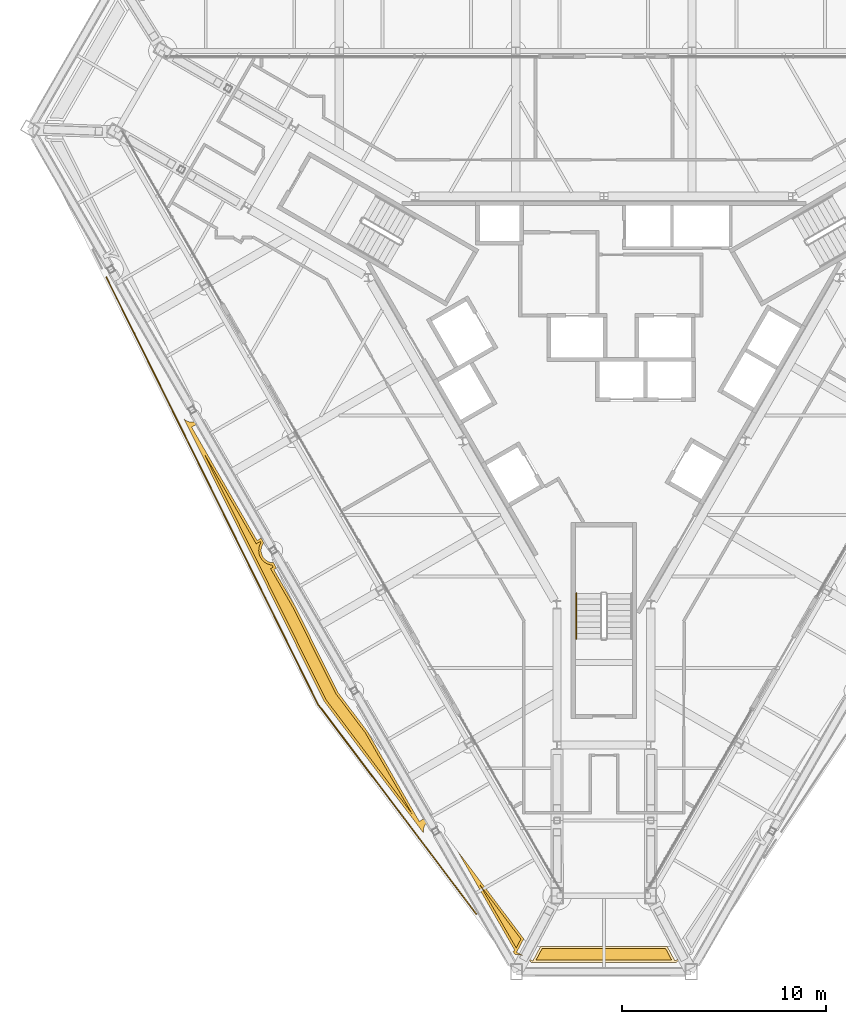
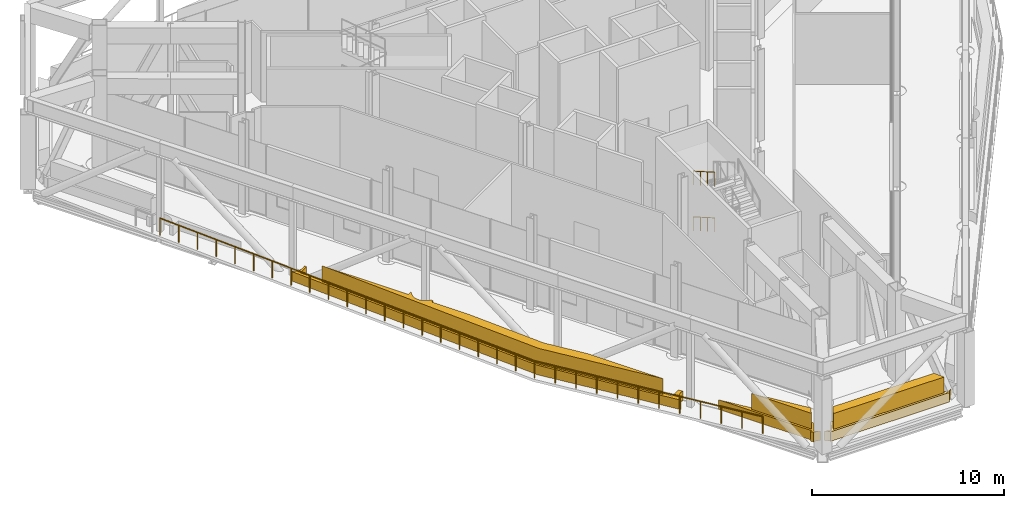
# One storey, part 19 of 24: 6 coverings, 3 railings.
"""IFC4 building model written with IfcOpenShell, lengths in metres."""

from ifc_helpers import new_model, si_unit, direction, frame, origin, origin_2d, place, context, subcontext, project, spatial, polyline, circle, outline, extrude, material, type_object, element, save


model = new_model("IFC4")

# Units and contexts
model_context = context("Model", 3, precision=1e-05, world=origin(), true_north=direction((0.0, 1.0)))
body_context = subcontext(model_context, "Body", "Model", "MODEL_VIEW")
ifc_project = project(units=[si_unit("LENGTHUNIT", "METRE"), si_unit("AREAUNIT", "SQUARE_METRE"), si_unit("VOLUMEUNIT", "CUBIC_METRE"), si_unit("PLANEANGLEUNIT", "RADIAN"), si_unit("MASSUNIT", "GRAM", prefix="KILO")], contexts=[model_context])

# Site, building, storey
site_placement = place(None, origin())
site = spatial("IfcSite", under=ifc_project, at=site_placement, CompositionType="ELEMENT")
building_placement = place(site_placement, origin())
building = spatial("IfcBuilding", under=site, at=building_placement, Name="Verrane Prism Tower", CompositionType="ELEMENT")
storey_placement = place(building_placement, frame((0.0, 0.0, 200.60009765625)))
storey = spatial("IfcBuildingStorey", under=building, at=storey_placement, Name="L50", CompositionType="ELEMENT", Elevation=200.60009765625)

# Coverings
ifc_material_1 = material(Name="Planting medium in stone kerb", Category="masonry")
covering_type_1 = type_object("IfcCoveringType", Name="Planter bed 600", PredefinedType="USERDEFINED", material=ifc_material_1)
covering_1_placement = place(storey_placement, origin())
element("IfcCovering", 1, at=covering_1_placement, inside=storey, type_object=covering_type_1, Name="Planter bed L50 7", ObjectType="PLANTER", PredefinedType="USERDEFINED", context=body_context, shape_type="SweptSolid", body=[
    extrude(outline(polyline([(-3.74072265625, -29.36279296875), (-3.678955078125, -29.4189453125), (-3.622802734375, -29.480712890625), (-3.5732421875, -29.5478515625), (-3.5625, -29.5654296875), (3.5625, -29.5654296875), (3.5732421875, -29.5478515625), (3.622802734375, -29.480712890625), (3.678955078125, -29.4189453125), (3.74072265625, -29.36279296875), (3.792724609375, -29.324462890625), (3.789306640625, -29.319091796875), (3.483154296875, -29.482421875), (3.1005859375, -28.765380859375), (-3.1005859375, -28.765380859375), (-3.483154296875, -29.482421875), (-3.789306640625, -29.319091796875), (-3.792724609375, -29.324462890625), (-3.74072265625, -29.36279296875)])), origin(), (0.0, 0.0, 1.0), 0.599853515625),
])
covering_2_placement = place(storey_placement, origin())
element("IfcCovering", 2, at=covering_2_placement, inside=storey, type_object=covering_type_1, Name="Planter bed L50 8", ObjectType="PLANTER", PredefinedType="USERDEFINED", context=body_context, shape_type="SweptSolid", body=[
    extrude(outline(polyline([(-4.3466796875, -29.17333984375), (-4.280029296875, -29.169921875), (-4.19677734375, -29.174072265625), (-4.1142578125, -29.186279296875), (-4.033203125, -29.20654296875), (-3.9736328125, -29.227783203125), (-3.97119140625, -29.22216796875), (-4.277099609375, -29.058837890625), (-3.926513671875, -28.401611328125), (-7.138671875, -24.1435546875), (-7.144287109375, -24.1474609375), (-4.36572265625, -28.9697265625), (-4.45947265625, -29.023681640625), (-4.3466796875, -29.17333984375)])), origin(), (0.0, 0.0, 1.0), 0.599853515625),
])
covering_3_placement = place(storey_placement, origin())
element("IfcCovering", 3, at=covering_3_placement, inside=storey, type_object=covering_type_1, Name="Planter bed L50 9", ObjectType="PLANTER", PredefinedType="USERDEFINED", context=body_context, shape_type="SweptSolid", body=[
    extrude(outline(polyline([(-13.73388671875, -16.72900390625), (-8.8486328125, -23.204833984375), (-8.852294921875, -23.1298828125), (-8.849609375, -23.071044921875), (-8.8408203125, -23.012451171875), (-8.826416015625, -22.955078125), (-8.806396484375, -22.8994140625), (-8.78125, -22.845947265625), (-8.7509765625, -22.79541015625), (-8.7158203125, -22.747802734375), (-8.676025390625, -22.7041015625), (-8.632080078125, -22.664306640625), (-8.584716796875, -22.629150390625), (-8.533935546875, -22.5986328125), (-8.48046875, -22.573486328125), (-8.4248046875, -22.553466796875), (-8.367431640625, -22.539306640625), (-8.3505859375, -22.53662109375), (-8.508544921875, -22.32763671875), (-9.052001953125, -22.6416015625), (-11.6025390625, -18.225830078125), (-13.050048828125, -16.306884765625), (-15.115478515625, -12.1396484375), (-16.178466796875, -10.2978515625), (-16.061767578125, -10.230712890625), (-16.19482421875, -9.962158203125), (-16.259033203125, -9.95947265625), (-16.3173828125, -9.95068359375), (-16.375, -9.9365234375), (-16.430419921875, -9.91650390625), (-16.48388671875, -9.891357421875), (-16.53466796875, -9.86083984375), (-16.582275390625, -9.82568359375), (-16.6259765625, -9.785888671875), (-16.665771484375, -9.7421875), (-16.700927734375, -9.694580078125), (-16.731201171875, -9.64404296875), (-16.756591796875, -9.590576171875), (-16.776611328125, -9.534912109375), (-16.790771484375, -9.4775390625), (-16.799560546875, -9.4189453125), (-16.802490234375, -9.360107421875), (-16.799560546875, -9.301025390625), (-16.790771484375, -9.242431640625), (-16.776611328125, -9.18505859375), (-16.756591796875, -9.12939453125), (-16.731201171875, -9.075927734375), (-16.700927734375, -9.025390625), (-16.67578125, -8.99169921875), (-16.794921875, -8.751953125), (-17.001953125, -8.87158203125), (-20.2109375, -3.31591796875), (-19.64990234375, -2.991943359375), (-19.71728515625, -2.855712890625), (-19.75390625, -2.89599609375), (-19.7978515625, -2.935791015625), (-19.84521484375, -2.970947265625), (-19.89599609375, -3.001220703125), (-19.949462890625, -3.026611328125), (-20.005126953125, -3.04638671875), (-20.0625, -3.060791015625), (-20.12109375, -3.069580078125), (-20.179931640625, -3.072509765625), (-20.239013671875, -3.069580078125), (-20.297607421875, -3.060791015625), (-20.35498046875, -3.04638671875), (-20.410400390625, -3.026611328125), (-20.464111328125, -3.001220703125), (-20.5146484375, -2.970947265625), (-20.575439453125, -2.92578125), (-13.73388671875, -16.72900390625)])), origin(), (0.0, 0.0, 1.0), 0.599853515625),
])
ifc_material_2 = material(Name="Planted shrubs and grasses", Category="other")
covering_type_2 = type_object("IfcCoveringType", Name="Planting mass 1000", PredefinedType="USERDEFINED", material=ifc_material_2)
covering_4_placement = place(storey_placement, frame((0.0, 0.0, 0.599853515625)))
element("IfcCovering", 4, at=covering_4_placement, inside=storey, type_object=covering_type_2, Name="Planting L50 7", ObjectType="PLANTING", PredefinedType="USERDEFINED", context=body_context, shape_type="SweptSolid", body=[
    extrude(outline(polyline([(3.327392578125, -29.445556640625), (3.02880859375, -28.885498046875), (-3.02880859375, -28.885498046875), (-3.327392578125, -29.445556640625), (3.327392578125, -29.445556640625)])), origin(), (0.0, 0.0, 1.0), 1.0),
])
covering_5_placement = place(storey_placement, frame((0.0, 0.0, 0.599853515625)))
element("IfcCovering", 5, at=covering_5_placement, inside=storey, type_object=covering_type_2, Name="Planting L50 8", ObjectType="PLANTING", PredefinedType="USERDEFINED", context=body_context, shape_type="SweptSolid", body=[
    extrude(outline(polyline([(-4.29931640625, -28.844970703125), (-4.068603515625, -28.41259765625), (-6.099609375, -25.72021484375), (-4.29931640625, -28.844970703125)])), origin(), (0.0, 0.0, 1.0), 1.0),
])
covering_6_placement = place(storey_placement, frame((0.0, 0.0, 0.599853515625)))
element("IfcCovering", 6, at=covering_6_placement, inside=storey, type_object=covering_type_2, Name="Planting L50 9", ObjectType="PLANTING", PredefinedType="USERDEFINED", context=body_context, shape_type="SweptSolid", body=[
    extrude(outline(polyline([(-13.631103515625, -16.66552734375), (-9.409423828125, -22.26220703125), (-11.702880859375, -18.2919921875), (-13.152587890625, -16.3701171875), (-15.221435546875, -12.1962890625), (-16.34228515625, -10.25390625), (-16.219482421875, -10.18310546875), (-16.27099609375, -10.0791015625), (-16.341064453125, -10.068603515625), (-16.40966796875, -10.051513671875), (-16.4765625, -10.027587890625), (-16.54052734375, -9.997314453125), (-16.601318359375, -9.960693359375), (-16.658447265625, -9.91845703125), (-16.7109375, -9.870849609375), (-16.758544921875, -9.818359375), (-16.80078125, -9.761474609375), (-16.837158203125, -9.70068359375), (-16.867431640625, -9.636474609375), (-16.891357421875, -9.569580078125), (-16.90869140625, -9.5009765625), (-16.919189453125, -9.430908203125), (-16.922607421875, -9.360107421875), (-16.919189453125, -9.289306640625), (-16.90869140625, -9.218994140625), (-16.891357421875, -9.150390625), (-16.867431640625, -9.08349609375), (-16.837158203125, -9.019287109375), (-16.814697265625, -8.98193359375), (-16.845458984375, -8.919921875), (-17.045654296875, -9.035400390625), (-19.63525390625, -4.552734375), (-13.631103515625, -16.66552734375)])), origin(), (0.0, 0.0, 1.0), 1.0),
])

# Railings
ifc_material_3 = material(Name="Steel A36 tube", Category="steel")
railing_type_1 = type_object("IfcRailingType", Name="Stair handrail 900 steel tube", PredefinedType="HANDRAIL", material=ifc_material_3)
for number, where, name in (
    (7, (-1.35009765625, -11.4599609375, 1.611083984375), "Stair 3 handrail"),
    (8, (-1.35009765625, -11.4599609375, 4.510986328125), "Stair 3 handrail"),
):
    element("IfcRailing", number, at=place(storey_placement, frame(where)), inside=storey, type_object=railing_type_1, Name=name, PredefinedType="HANDRAIL", context=body_context, shape_type="SweptSolid", body=[
        extrude(circle(Radius=0.02392578125, at=origin_2d()), frame((0.0, 0.0, 0.8759765625), z_axis=(0.0, -0.866768490956, 0.498710720845), x_axis=(1.0, 0.0, 0.0)), (0.0, 0.0, 1.0), 2.584228515625),
        extrude(circle(Radius=0.02099609375, at=origin_2d()), origin(), (0.0, 0.0, 1.0), 0.851806640625),
        extrude(circle(Radius=0.02099609375, at=origin_2d()), frame((0.0, -0.74658203125, 0.4296875)), (0.0, 0.0, 1.0), 0.851806640625),
        extrude(circle(Radius=0.02099609375, at=origin_2d()), frame((0.0, -1.493408203125, 0.859130859375)), (0.0, 0.0, 1.0), 0.851806640625),
        extrude(circle(Radius=0.02099609375, at=origin_2d()), frame((0.0, -2.239990234375, 1.288818359375)), (0.0, 0.0, 1.0), 0.851806640625),
    ])
ifc_material_4 = material(Name="Stainless steel and laminated glass", Category="steel")
railing_type_2 = type_object("IfcRailingType", Name="Terrace guard 1100", PredefinedType="GUARDRAIL", material=ifc_material_4)
railing_placement = place(storey_placement, frame((-24.39306640625, 4.03271484375, 0.0)))
element("IfcRailing", 9, at=railing_placement, inside=storey, type_object=railing_type_2, Name="Terrace guard L50 4", PredefinedType="GUARDRAIL", context=body_context, shape_type="SweptSolid", body=[
    extrude(circle(Radius=0.02392578125, at=origin_2d()), frame((0.0, 0.0, 1.076171875), z_axis=(0.444105660887, -0.895974420376, 0.0), x_axis=(0.895974420376, 0.444105660887, 0.0)), (0.0, 0.0, 1.0), 23.366455078125),
    extrude(circle(Radius=0.02392578125, at=origin_2d()), frame((10.377197265625, -20.935791015625, 1.076171875), z_axis=(0.602208650296, -0.798338738575, 0.0), x_axis=(0.798338738575, 0.602208650296, 0.0)), (0.0, 0.0, 1.0), 12.8798828125),
    extrude(circle(Radius=0.02099609375, at=origin_2d()), origin(), (0.0, 0.0, 1.0), 1.052001953125),
    extrude(circle(Radius=0.02099609375, at=origin_2d()), frame((0.518798828125, -1.046875, 0.0)), (0.0, 0.0, 1.0), 1.052001953125),
    extrude(circle(Radius=0.02099609375, at=origin_2d()), frame((1.03759765625, -2.093505859375, 0.0)), (0.0, 0.0, 1.0), 1.052001953125),
    extrude(circle(Radius=0.02099609375, at=origin_2d()), frame((1.556640625, -3.140380859375, 0.0)), (0.0, 0.0, 1.0), 1.052001953125),
    extrude(circle(Radius=0.02099609375, at=origin_2d()), frame((2.075439453125, -4.187255859375, 0.0)), (0.0, 0.0, 1.0), 1.052001953125),
    extrude(circle(Radius=0.02099609375, at=origin_2d()), frame((2.59423828125, -5.23388671875, 0.0)), (0.0, 0.0, 1.0), 1.052001953125),
    extrude(circle(Radius=0.02099609375, at=origin_2d()), frame((3.11328125, -6.28076171875, 0.0)), (0.0, 0.0, 1.0), 1.052001953125),
    extrude(circle(Radius=0.02099609375, at=origin_2d()), frame((3.632080078125, -7.32763671875, 0.0)), (0.0, 0.0, 1.0), 1.052001953125),
    extrude(circle(Radius=0.02099609375, at=origin_2d()), frame((4.15087890625, -8.374267578125, 0.0)), (0.0, 0.0, 1.0), 1.052001953125),
    extrude(circle(Radius=0.02099609375, at=origin_2d()), frame((4.669677734375, -9.421142578125, 0.0)), (0.0, 0.0, 1.0), 1.052001953125),
    extrude(circle(Radius=0.02099609375, at=origin_2d()), frame((5.1884765625, -10.4677734375, 0.0)), (0.0, 0.0, 1.0), 1.052001953125),
    extrude(circle(Radius=0.02099609375, at=origin_2d()), frame((5.70751953125, -11.5146484375, 0.0)), (0.0, 0.0, 1.0), 1.052001953125),
    extrude(circle(Radius=0.02099609375, at=origin_2d()), frame((6.226318359375, -12.5615234375, 0.0)), (0.0, 0.0, 1.0), 1.052001953125),
    extrude(circle(Radius=0.02099609375, at=origin_2d()), frame((6.7451171875, -13.608154296875, 0.0)), (0.0, 0.0, 1.0), 1.052001953125),
    extrude(circle(Radius=0.02099609375, at=origin_2d()), frame((7.263916015625, -14.655029296875, 0.0)), (0.0, 0.0, 1.0), 1.052001953125),
    extrude(circle(Radius=0.02099609375, at=origin_2d()), frame((7.782958984375, -15.701904296875, 0.0)), (0.0, 0.0, 1.0), 1.052001953125),
    extrude(circle(Radius=0.02099609375, at=origin_2d()), frame((8.3017578125, -16.74853515625, 0.0)), (0.0, 0.0, 1.0), 1.052001953125),
    extrude(circle(Radius=0.02099609375, at=origin_2d()), frame((8.820556640625, -17.79541015625, 0.0)), (0.0, 0.0, 1.0), 1.052001953125),
    extrude(circle(Radius=0.02099609375, at=origin_2d()), frame((9.33935546875, -18.84228515625, 0.0)), (0.0, 0.0, 1.0), 1.052001953125),
    extrude(circle(Radius=0.02099609375, at=origin_2d()), frame((9.8583984375, -19.888916015625, 0.0)), (0.0, 0.0, 1.0), 1.052001953125),
    extrude(circle(Radius=0.02099609375, at=origin_2d()), frame((10.377197265625, -20.935791015625, 0.0)), (0.0, 0.0, 1.0), 1.052001953125),
    extrude(circle(Radius=0.02099609375, at=origin_2d()), frame((11.082275390625, -21.87060546875, 0.0)), (0.0, 0.0, 1.0), 1.052001953125),
    extrude(circle(Radius=0.02099609375, at=origin_2d()), frame((11.787353515625, -22.805419921875, 0.0)), (0.0, 0.0, 1.0), 1.052001953125),
    extrude(circle(Radius=0.02099609375, at=origin_2d()), frame((12.49267578125, -23.739990234375, 0.0)), (0.0, 0.0, 1.0), 1.052001953125),
    extrude(circle(Radius=0.02099609375, at=origin_2d()), frame((13.19775390625, -24.6748046875, 0.0)), (0.0, 0.0, 1.0), 1.052001953125),
    extrude(circle(Radius=0.02099609375, at=origin_2d()), frame((13.90283203125, -25.609619140625, 0.0)), (0.0, 0.0, 1.0), 1.052001953125),
    extrude(circle(Radius=0.02099609375, at=origin_2d()), frame((14.60791015625, -26.54443359375, 0.0)), (0.0, 0.0, 1.0), 1.052001953125),
    extrude(circle(Radius=0.02099609375, at=origin_2d()), frame((15.31298828125, -27.479248046875, 0.0)), (0.0, 0.0, 1.0), 1.052001953125),
    extrude(circle(Radius=0.02099609375, at=origin_2d()), frame((16.01806640625, -28.4140625, 0.0)), (0.0, 0.0, 1.0), 1.052001953125),
    extrude(circle(Radius=0.02099609375, at=origin_2d()), frame((16.723388671875, -29.3486328125, 0.0)), (0.0, 0.0, 1.0), 1.052001953125),
    extrude(circle(Radius=0.02099609375, at=origin_2d()), frame((17.428466796875, -30.283447265625, 0.0)), (0.0, 0.0, 1.0), 1.052001953125),
    extrude(circle(Radius=0.02099609375, at=origin_2d()), frame((18.133544921875, -31.21826171875, 0.0)), (0.0, 0.0, 1.0), 1.052001953125),
])

save(model, "model.ifc")
